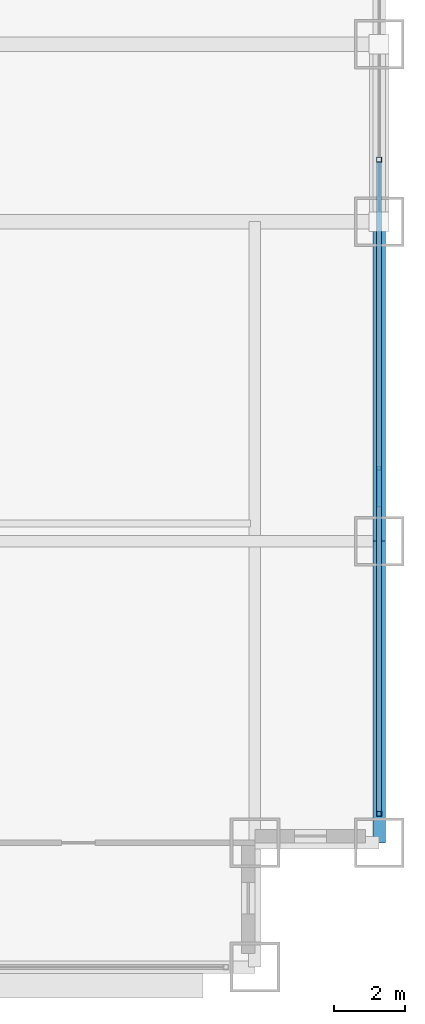
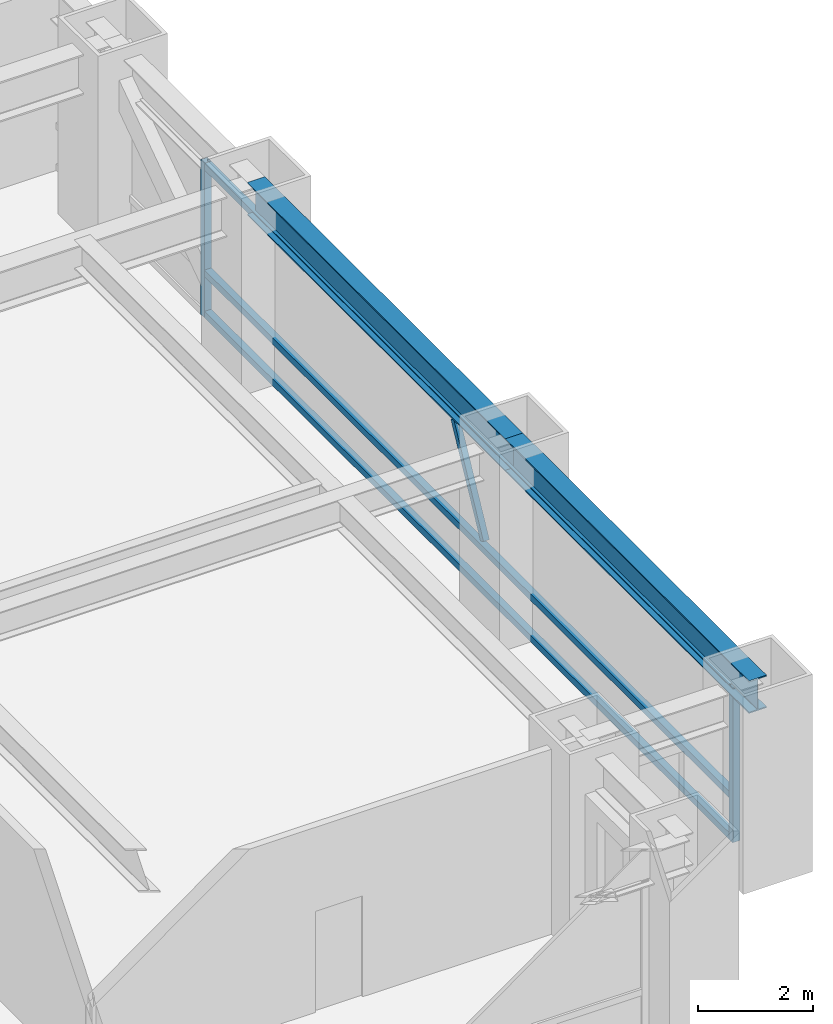
# One storey, part 16 of 31: 6 members, 2 beams, 1 element without a shape of its own.
"""IFC4 building model written with IfcOpenShell, lengths in metres."""

from ifc_helpers import new_model, si_unit, direction, frame, origin, origin_2d, place, context, subcontext, project, spatial, hollow_rectangle, i_section, extrude, source, transform, mapped, material, material_profile, profile_set, type_object, element, aggregate, save


model = new_model("IFC4")

# Units and contexts
model_context = context("Model", 3, precision=1e-05, world=origin(), true_north=direction((0.0, 1.0)))
body_context = subcontext(model_context, "Body", "Model", "MODEL_VIEW")
ifc_project = project(units=[si_unit("LENGTHUNIT", "METRE"), si_unit("AREAUNIT", "SQUARE_METRE"), si_unit("VOLUMEUNIT", "CUBIC_METRE"), si_unit("PLANEANGLEUNIT", "RADIAN"), si_unit("MASSUNIT", "GRAM", prefix="KILO")], contexts=[model_context])

# Site, building, storey
site_placement = place(None, origin())
site = spatial("IfcSite", under=ifc_project, at=site_placement, CompositionType="ELEMENT")
building_placement = place(site_placement, origin())
building = spatial("IfcBuilding", under=site, at=building_placement, Name="Khorayat Bourse Tower", CompositionType="ELEMENT")
storey_placement = place(building_placement, frame((0.0, 0.0, 41.0)))
storey = spatial("IfcBuildingStorey", under=building, at=storey_placement, Name="L08", CompositionType="ELEMENT", Elevation=41.0)

# Beams
ifc_material_1 = material(Name="Steel ASTM A992 Grade 50", Category="steel")
ifc_material_profile_1 = material_profile(ifc_material_1, i_section(OverallWidth=0.35498046875, OverallDepth=0.695068359375, WebThickness=0.015380859375, FlangeThickness=0.02490234375, FilletRadius=0.01806640625, at=origin_2d()), Name="W690X217")
ifc_profile_set_1 = profile_set([ifc_material_profile_1], Name="Steel ASTM A992 Grade 50")
beam_type = type_object("IfcBeamType", Name="BM-SPAN-690", PredefinedType="SPANDREL", material=ifc_profile_set_1)
shared_shape_1 = source(origin(), body_context, "Body", "SweptSolid", [
    extrude(i_section(OverallWidth=0.35498046875, OverallDepth=0.695068359375, WebThickness=0.015380859375, FlangeThickness=0.02490234375, FilletRadius=0.01806640625, at=origin_2d()), origin(), (0.0, 0.0, 1.0), 8.5),
])
beam_1_placement = place(storey_placement, frame((32.0, -28.5, 3.592529296875), z_axis=(0.0, 1.0, 0.0), x_axis=(-1.0, 0.0, 0.0)))
element("IfcBeam", 1, at=beam_1_placement, inside=storey, type_object=beam_type, Name="L08 BM-SPAN-690 BM-L08-SPN-034", PredefinedType="SPANDREL", context=body_context, shape_type="MappedRepresentation", body=[
    mapped(shared_shape_1, transform((0.0, 0.0, 0.0), scale=1.0)),
])
shared_shape_2 = source(origin(), body_context, "Body", "SweptSolid", [
    extrude(i_section(OverallWidth=0.35498046875, OverallDepth=0.695068359375, WebThickness=0.015380859375, FlangeThickness=0.02490234375, FilletRadius=0.01806640625, at=origin_2d()), origin(), (0.0, 0.0, 1.0), 9.0),
])
beam_2_placement = place(storey_placement, frame((32.0, -20.0, 3.592529296875), z_axis=(0.0, 1.0, 0.0), x_axis=(-1.0, 0.0, 0.0)))
element("IfcBeam", 2, at=beam_2_placement, inside=storey, type_object=beam_type, Name="L08 BM-SPAN-690 BM-L08-SPN-035", PredefinedType="SPANDREL", context=body_context, shape_type="MappedRepresentation", body=[
    mapped(shared_shape_2, transform((0.0, 0.0, 0.0), scale=1.0)),
])

# Curtain wall, members
ifc_material_2 = material(Name="Aluminium EN AW-6063 T6", Category="aluminium")
curtain_wall_type = type_object("IfcCurtainWallType", Name="CW-SYS-02", PredefinedType="NOTDEFINED", material=ifc_material_2)
curtain_wall_placement = place(storey_placement, origin())
curtain_wall = element("IfcCurtainWall", 3, at=curtain_wall_placement, inside=storey, type_object=curtain_wall_type, Name="L08 Curtain Wall CW-L08-E1", PredefinedType="NOTDEFINED")
ifc_material_profile_2 = material_profile(ifc_material_2, hollow_rectangle(XDim=0.139892578125, YDim=0.139892578125, WallThickness=0.006103515625, at=origin_2d()), Name="ALU 140x140x6")
ifc_profile_set_2 = profile_set([ifc_material_profile_2], Name="Aluminium EN AW-6063 T6")
member_type_1 = type_object("IfcMemberType", Name="CWT-HORZ-140", PredefinedType="USERDEFINED", material=ifc_profile_set_2)
shared_shape_3 = source(origin(), body_context, "Body", "SweptSolid", [
    extrude(hollow_rectangle(XDim=0.139892578125, YDim=0.139892578125, WallThickness=0.006103515625, at=origin_2d()), origin(), (0.0, 0.0, 1.0), 18.2900390625),
])
member_1_placement = place(storey_placement, frame((32.0, -27.610107421875, 0.070068359375), z_axis=(0.0, 1.0, 0.0), x_axis=(-1.0, 0.0, 0.0)))
member_1 = element("IfcMember", 4, at=member_1_placement, type_object=member_type_1, Name="CW-L08-E1 Horizontal Transom 1-1", ObjectType="TRANSOM", PredefinedType="USERDEFINED", context=body_context, shape_type="MappedRepresentation", body=[
    mapped(shared_shape_3, transform((0.0, 0.0, 0.0), scale=1.0)),
])
member_2_placement = place(storey_placement, frame((32.0, -27.610107421875, 0.949951171875), z_axis=(0.0, 1.0, 0.0), x_axis=(-1.0, 0.0, 0.0)))
member_2 = element("IfcMember", 5, at=member_2_placement, type_object=member_type_1, Name="CW-L08-E1 Horizontal Transom 1-2", ObjectType="TRANSOM", PredefinedType="USERDEFINED", context=body_context, shape_type="MappedRepresentation", body=[
    mapped(shared_shape_3, transform((0.0, 0.0, 0.0), scale=1.0)),
])
member_3_placement = place(storey_placement, frame((32.0, -27.610107421875, 3.219970703125), z_axis=(0.0, 1.0, 0.0), x_axis=(-1.0, 0.0, 0.0)))
member_3 = element("IfcMember", 6, at=member_3_placement, type_object=member_type_1, Name="CW-L08-E1 Horizontal Transom 1-3", ObjectType="TRANSOM", PredefinedType="USERDEFINED", context=body_context, shape_type="MappedRepresentation", body=[
    mapped(shared_shape_3, transform((0.0, 0.0, 0.0), scale=1.0)),
])
ifc_material_profile_3 = material_profile(ifc_material_2, hollow_rectangle(XDim=0.1201171875, YDim=0.1201171875, WallThickness=0.0048828125, at=origin_2d()), Name="ALU 120x120x5")
ifc_profile_set_3 = profile_set([ifc_material_profile_3], Name="Aluminium EN AW-6063 T6")
member_type_2 = type_object("IfcMemberType", Name="CWM-DIAG-120", PredefinedType="MULLION", material=ifc_profile_set_3)
shared_shape_4 = source(origin(), body_context, "Body", "SweptSolid", [
    extrude(hollow_rectangle(XDim=0.1201171875, YDim=0.1201171875, WallThickness=0.0048828125, at=origin_2d()), origin(), (0.0, 0.0, 1.0), 2.22607421875),
])
member_4_placement = place(storey_placement, frame((32.0, -18.9833984375, 1.10009765625), z_axis=(0.0, 0.465759992596, 0.884911085532), x_axis=(-1.0, 0.0, 0.0)))
member_4 = element("IfcMember", 7, at=member_4_placement, type_object=member_type_2, Name="CW-L08-E1 Faceted Diagonal Mullion 1", PredefinedType="MULLION", context=body_context, shape_type="MappedRepresentation", body=[
    mapped(shared_shape_4, transform((0.0, 0.0, 0.0), scale=1.0)),
])
ifc_material_profile_4 = material_profile(ifc_material_2, hollow_rectangle(XDim=0.139892578125, YDim=0.139892578125, WallThickness=0.006103515625, at=origin_2d()), Name="ALU 140x140x6")
ifc_profile_set_4 = profile_set([ifc_material_profile_4], Name="Aluminium EN AW-6063 T6")
member_type_3 = type_object("IfcMemberType", Name="CWM-VERT-140", PredefinedType="MULLION", material=ifc_profile_set_4)
shared_shape_5 = source(origin(), body_context, "Body", "SweptSolid", [
    extrude(hollow_rectangle(XDim=0.139892578125, YDim=0.139892578125, WallThickness=0.006103515625, at=origin_2d()), origin(), (0.0, 0.0, 1.0), 3.2900390625),
])
member_5_placement = place(storey_placement, frame((32.0, -27.679931640625, 0.0), z_axis=(0.0, 0.0, 1.0), x_axis=(-1.0, 0.0, 0.0)))
member_5 = element("IfcMember", 8, at=member_5_placement, type_object=member_type_3, Name="CW-L08-E1 Vertical Mullion 1", PredefinedType="MULLION", context=body_context, shape_type="MappedRepresentation", body=[
    mapped(shared_shape_5, transform((0.0, 0.0, 0.0), scale=1.0)),
])
member_6_placement = place(storey_placement, frame((32.0, -9.25, 0.0), z_axis=(0.0, 0.0, 1.0), x_axis=(-1.0, 0.0, 0.0)))
member_6 = element("IfcMember", 9, at=member_6_placement, type_object=member_type_3, Name="CW-L08-E1 Vertical Mullion 2", PredefinedType="MULLION", context=body_context, shape_type="MappedRepresentation", body=[
    mapped(shared_shape_5, transform((0.0, 0.0, 0.0), scale=1.0)),
])
aggregate(curtain_wall, [member_5, member_6, member_1, member_2, member_3, member_4])

save(model, "model.ifc")
